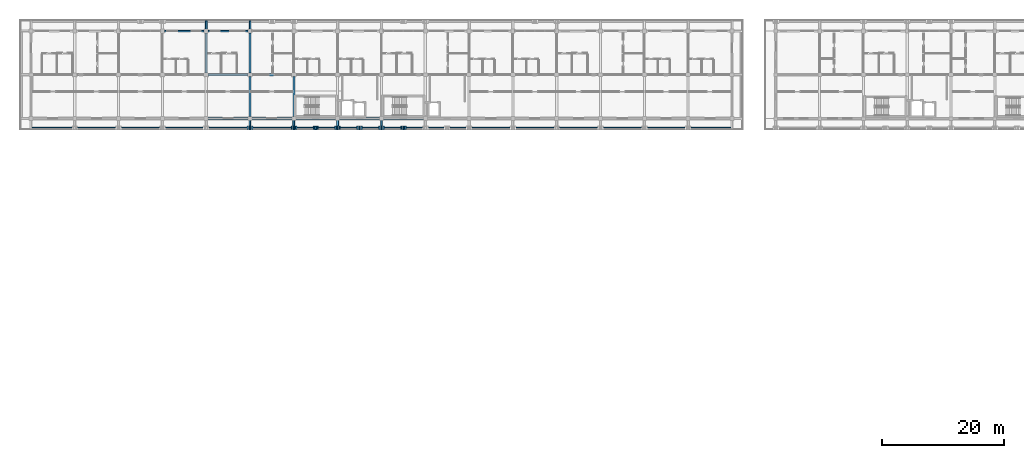
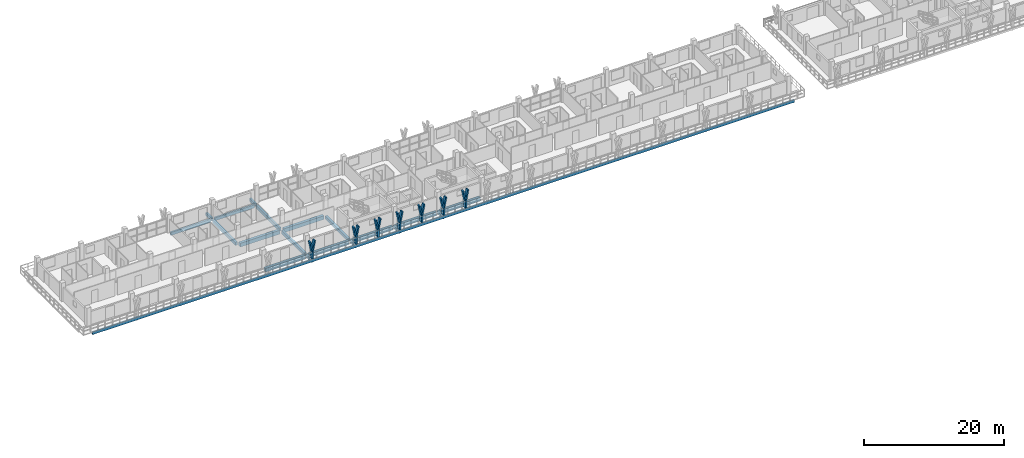
# One storey, part 13 of 78: 21 members, 20 beams.
"""IFC4 building model written with IfcOpenShell, lengths in metres."""

import ifcopenshell
import ifcopenshell.guid

model = None  # the IFC model being written
_history = None  # IfcOwnerHistory: only IFC2X3 demands one
_inside = {}  # id of a spatial element -> (the spatial element, [elements in it])
_under = {}  # id of a project, library or spatial element -> (it, [spatial elements below it])
_declared = {}  # id of a project -> (the project, [libraries it declares])
_typed = {}  # id of a type object -> (the type object, [elements of that type])
_made_of = {}  # id of a material, layer set ... -> (it, [elements and type objects made of it])


def new_model(schema):
    """Start an empty IFC model of exactly this schema.

    Asked for "IFC4X3", IfcOpenShell would pick the latest addendum, in which some entities
    have other attributes; the version numbers below select the first issue.
    IFC2X3 requires an IfcOwnerHistory on every rooted entity: one is made here for all.
    """
    global model, _history
    if schema == "IFC4X3":
        model = ifcopenshell.file(schema_version=(4, 3, 0, 0))
    else:
        model = ifcopenshell.file(schema=schema)
    _inside.clear()
    _under.clear()
    _declared.clear()
    _typed.clear()
    _made_of.clear()
    _history = None
    if model.schema == "IFC2X3":
        org = make("IfcOrganization", Name="unknown")
        user = make(
            "IfcPersonAndOrganization",
            ThePerson=make("IfcPerson", FamilyName="unknown"),
            TheOrganization=org,
        )
        app = make(
            "IfcApplication",
            ApplicationDeveloper=org,
            Version="unknown",
            ApplicationFullName="unknown",
            ApplicationIdentifier="unknown",
        )
        _history = make(
            "IfcOwnerHistory",
            OwningUser=user,
            OwningApplication=app,
            ChangeAction="ADDED",
            CreationDate=0,
        )
    return model


def make(cls, **values):
    """One entity of the class cls with the attributes given. An attribute that is None is left unset."""
    return model.create_entity(
        cls, **{name: value for name, value in values.items() if value is not None}
    )


def rooted(cls, **values):
    """An entity with a GlobalId (a new one), such as an element, a storey or a relation."""
    return make(cls, GlobalId=ifcopenshell.guid.new(), OwnerHistory=_history, **values)


def si_unit(unit_type, name, prefix=None):
    """IfcSIUnit, for example si_unit("LENGTHUNIT", "METRE", prefix="MILLI")."""
    return make("IfcSIUnit", UnitType=unit_type, Prefix=prefix, Name=name)


def assignment(units):
    """IfcUnitAssignment: the units of a project."""
    return None if units is None else make("IfcUnitAssignment", Units=units)


def point(xyz):
    """IfcCartesianPoint."""
    return None if xyz is None else make("IfcCartesianPoint", Coordinates=xyz)


def direction(xyz):
    """IfcDirection."""
    return None if xyz is None else make("IfcDirection", DirectionRatios=xyz)


def frame(location, z_axis=None, x_axis=None):
    """IfcAxis2Placement3D, a coordinate frame: its origin and axes. An axis left out is left unset."""
    return make(
        "IfcAxis2Placement3D",
        Location=point(location),
        Axis=direction(z_axis),
        RefDirection=direction(x_axis),
    )


def frame_2d(location, x_axis=None):
    """IfcAxis2Placement2D, a coordinate frame in the plane: its origin and x axis."""
    return make(
        "IfcAxis2Placement2D", Location=point(location), RefDirection=direction(x_axis)
    )


def origin():
    """The frame at (0, 0, 0) with its axes left unset."""
    return frame((0.0, 0.0, 0.0))


def origin_2d():
    """The frame at (0, 0) in the plane with its x axis left unset."""
    return frame_2d((0.0, 0.0))


def place(relative_to, where):
    """IfcLocalPlacement: puts the frame where relative to a parent placement (None: the world)."""
    return make(
        "IfcLocalPlacement", PlacementRelTo=relative_to, RelativePlacement=where
    )


def context(
    kind, dimensions, precision=None, world=None, true_north=None, identifier=None
):
    """IfcGeometricRepresentationContext, for example the 3D "Model" context."""
    return make(
        "IfcGeometricRepresentationContext",
        ContextIdentifier=identifier,
        ContextType=kind,
        CoordinateSpaceDimension=dimensions,
        Precision=precision,
        WorldCoordinateSystem=world,
        TrueNorth=true_north,
    )


def subcontext(parent, identifier, kind, view, scale=None):
    """IfcGeometricRepresentationSubContext, for example "Body" below "Model"."""
    return make(
        "IfcGeometricRepresentationSubContext",
        ContextIdentifier=identifier,
        ContextType=kind,
        ParentContext=parent,
        TargetScale=scale,
        TargetView=view,
    )


def project(units=None, contexts=None):
    """IfcProject with its units and contexts."""
    return rooted(
        "IfcProject",
        Name="project",
        RepresentationContexts=contexts,
        UnitsInContext=assignment(units),
    )


def spatial(cls, under=None, at=None, **own):
    """A site, building, storey or space (cls), placed at a placement, below another one or the project."""
    s = rooted(cls, ObjectPlacement=at, **own)
    if under is not None:
        _under.setdefault(under.id(), (under, []))[1].append(s)
    return s


def profile(cls, at=None, kind="AREA", **sizes):
    """A parametric profile (cls). Its sizes go by their IFC names, for example OverallWidth=200.0."""
    return make(cls, ProfileType=kind, Position=at, **sizes)


def rectangle(**sizes):
    """IfcRectangleProfileDef."""
    return profile("IfcRectangleProfileDef", **sizes)


def extrude(swept, where, along, depth):
    """IfcExtrudedAreaSolid: the profile swept, set in the frame where, extruded along a direction by depth."""
    return make(
        "IfcExtrudedAreaSolid",
        SweptArea=swept,
        Position=where,
        ExtrudedDirection=direction(along),
        Depth=depth,
    )


def shape(context_of_items, identifier, shape_type, items):
    """IfcShapeRepresentation: the items that make up one representation, for example the "Body"."""
    return make(
        "IfcShapeRepresentation",
        ContextOfItems=context_of_items,
        RepresentationIdentifier=identifier,
        RepresentationType=shape_type,
        Items=items,
    )


def material(Name=None, Category=None):
    """IfcMaterial."""
    return make("IfcMaterial", Name=Name, Category=Category)


def material_profile(
    of_material, cross_section, Name=None, Category=None, Priority=None
):
    """IfcMaterialProfile: a cross section and its material."""
    return make(
        "IfcMaterialProfile",
        Name=Name,
        Material=of_material,
        Profile=cross_section,
        Priority=Priority,
        Category=Category,
    )


def profile_set(profiles, Name=None, composite=None):
    """IfcMaterialProfileSet."""
    return make(
        "IfcMaterialProfileSet",
        Name=Name,
        MaterialProfiles=profiles,
        CompositeProfile=composite,
    )


def made_of(thing, what):
    """Note that an element or type object is made of a material, layer set ...; save() writes the relation."""
    if what is not None:
        _made_of.setdefault(what.id(), (what, []))[1].append(thing)
    return thing


def type_object(cls, material=None, **own):
    """A type object (cls), such as IfcWallType, which elements share."""
    return made_of(rooted(cls, **own), material)


def element(
    cls,
    number,
    at=None,
    inside=None,
    cuts=None,
    type_object=None,
    material=None,
    context=None,
    identifier="Body",
    shape_type=None,
    held_by="IfcProductDefinitionShape",
    body=None,
    shapes=None,
    **own,
):
    """One element of the class cls, such as IfcWall. Its Tag is "e" and its number.

    at: its placement. inside: the storey or other place that contains it. cuts: it is an
    opening in that element (IfcRelVoidsElement). A single representation is given by context,
    identifier, shape_type and body (its items); several are given by shapes. held_by: the class
    of the entity that holds the representations. save() writes the other relations.
    """
    e = rooted(cls, Tag="e%d" % number, ObjectPlacement=at, **own)
    if body is not None:
        shapes = [shape(context, identifier, shape_type, body)]
    if shapes is not None:
        e.Representation = make(held_by, Representations=shapes)
    if inside is not None:
        _inside.setdefault(inside.id(), (inside, []))[1].append(e)
    if cuts is not None:
        rooted(
            "IfcRelVoidsElement", RelatingBuildingElement=cuts, RelatedOpeningElement=e
        )
    if type_object is not None:
        _typed.setdefault(type_object.id(), (type_object, []))[1].append(e)
    return made_of(e, material)


def aggregate(whole, parts):
    """IfcRelAggregates: a whole, such as a stair, and the parts it consists of."""
    return rooted("IfcRelAggregates", RelatingObject=whole, RelatedObjects=parts)


def save(model, path):
    """Write the relations noted so far, then the file.

    IfcRelAggregates (storeys below a building ...), IfcRelContainedInSpatialStructure (elements
    in a storey), IfcRelDefinesByType, IfcRelAssociatesMaterial and IfcRelDeclares: one each for
    every whole, place, type object, material and project.
    """
    for whole, parts in _under.values():
        aggregate(whole, parts)
    for where, things in _inside.values():
        rooted(
            "IfcRelContainedInSpatialStructure",
            RelatedElements=things,
            RelatingStructure=where,
        )
    for kind, things in _typed.values():
        rooted("IfcRelDefinesByType", RelatedObjects=things, RelatingType=kind)
    for what, things in _made_of.values():
        rooted("IfcRelAssociatesMaterial", RelatedObjects=things, RelatingMaterial=what)
    for by, libraries in _declared.values():
        rooted("IfcRelDeclares", RelatingContext=by, RelatedDefinitions=libraries)
    model.write(path)


model = new_model("IFC4")

# Units and contexts
model_context = context("Model", 3, precision=1e-05, world=origin(), true_north=direction((0.0, 1.0)))
body_context = subcontext(model_context, "Body", "Model", "MODEL_VIEW")
ifc_project = project(units=[si_unit("LENGTHUNIT", "METRE"), si_unit("AREAUNIT", "SQUARE_METRE"), si_unit("VOLUMEUNIT", "CUBIC_METRE"), si_unit("PLANEANGLEUNIT", "RADIAN"), si_unit("MASSUNIT", "GRAM", prefix="KILO")], contexts=[model_context])

# Site, building, storey
site_placement = place(None, origin())
site = spatial("IfcSite", under=ifc_project, at=site_placement, CompositionType="ELEMENT")
building_placement = place(site_placement, origin())
building = spatial("IfcBuilding", under=site, at=building_placement, Name="Suanplinth Sawtooth Commons", CompositionType="ELEMENT")
storey_placement = place(building_placement, frame((0.0, 0.0, 15.39990234375)))
storey = spatial("IfcBuildingStorey", under=building, at=storey_placement, Name="L04", CompositionType="ELEMENT", Elevation=15.39990234375)

# Beams
ifc_material_1 = material(Name="Precast concrete C40/50", Category="concrete")
ifc_material_profile_1 = material_profile(ifc_material_1, rectangle(XDim=0.449951171875, YDim=0.64990234375, at=origin_2d()), Name="PC-GDR 450x650")
ifc_profile_set_1 = profile_set([ifc_material_profile_1], Name="Precast concrete C40/50")
beam_type_1 = type_object("IfcBeamType", Name="B-04", PredefinedType="USERDEFINED", material=ifc_profile_set_1)
for number, where, z_axis, x_axis, name in (
    (1, (29.125, 108.0, -0.544921875), (1.0, 0.0, 0.0), (0.0, 1.0, 0.0), "BMX-L04-A-4-15"),
    (2, (29.125, 115.199951171875, -0.544921875), (1.0, 0.0, 0.0), (0.0, 1.0, 0.0), "BMX-L04-A-4-16"),
    (3, (36.324951171875, 108.0, -0.544921875), (1.0, 0.0, 0.0), (0.0, 1.0, 0.0), "BMX-L04-A-5-15"),
    (4, (36.324951171875, 115.199951171875, -0.544921875), (1.0, 0.0, 0.0), (0.0, 1.0, 0.0), "BMX-L04-A-5-16"),
    (5, (43.52490234375, 108.0, -0.544921875), (1.0, 0.0, 0.0), (0.0, 1.0, 0.0), "BMX-L04-A-6-15"),
):
    element("IfcBeam", number, at=place(storey_placement, frame(where, z_axis=z_axis, x_axis=x_axis)), inside=storey, type_object=beam_type_1, Name=name, ObjectType="GIRDER", PredefinedType="USERDEFINED", context=body_context, shape_type="SweptSolid", body=[
        extrude(rectangle(XDim=0.449951171875, YDim=0.64990234375, at=origin_2d()), origin(), (0.0, 0.0, 1.0), 6.550048828125),
    ])
beam_1_placement = place(storey_placement, frame((50.72509765625, 108.0, -0.544921875), z_axis=(1.0, 0.0, 0.0), x_axis=(0.0, 1.0, 0.0)))
element("IfcBeam", 6, at=beam_1_placement, inside=storey, type_object=beam_type_1, Name="BMX-L04-A-7-15", ObjectType="GIRDER", PredefinedType="USERDEFINED", context=body_context, shape_type="SweptSolid", body=[
    extrude(rectangle(XDim=0.449951171875, YDim=0.64990234375, at=origin_2d()), origin(), (0.0, 0.0, 1.0), 6.5498046875),
])
beam_2_placement = place(storey_placement, frame((57.925048828125, 108.0, -0.544921875), z_axis=(1.0, 0.0, 0.0), x_axis=(0.0, 1.0, 0.0)))
element("IfcBeam", 7, at=beam_2_placement, inside=storey, type_object=beam_type_1, Name="BMX-L04-A-8-15", ObjectType="GIRDER", PredefinedType="USERDEFINED", context=body_context, shape_type="SweptSolid", body=[
    extrude(rectangle(XDim=0.449951171875, YDim=0.64990234375, at=origin_2d()), origin(), (0.0, 0.0, 1.0), 6.550048828125),
])
ifc_material_profile_2 = material_profile(ifc_material_1, rectangle(XDim=0.35009765625, YDim=0.550048828125, at=origin_2d()), Name="PC-BM 350x550")
ifc_profile_set_2 = profile_set([ifc_material_profile_2], Name="Precast concrete C40/50")
beam_type_2 = type_object("IfcBeamType", Name="B-06", PredefinedType="BEAM", material=ifc_profile_set_2)
for number, where, z_axis, x_axis, name in (
    (8, (28.800048828125, 115.52490234375, -0.494873046875), (0.0, 1.0, 0.0), (-1.0, 0.0, 0.0), "BMY-L04-A-4-16"),
    (9, (36.0, 108.324951171875, -0.494873046875), (0.0, 1.0, 0.0), (-1.0, 0.0, 0.0), "BMY-L04-A-5-15"),
    (10, (36.0, 115.52490234375, -0.494873046875), (0.0, 1.0, 0.0), (-1.0, 0.0, 0.0), "BMY-L04-A-5-16"),
    (11, (43.199951171875, 108.324951171875, -0.494873046875), (0.0, 1.0, 0.0), (-1.0, 0.0, 0.0), "BMY-L04-A-6-15"),
):
    element("IfcBeam", number, at=place(storey_placement, frame(where, z_axis=z_axis, x_axis=x_axis)), inside=storey, type_object=beam_type_2, Name=name, PredefinedType="BEAM", context=body_context, shape_type="SweptSolid", body=[
        extrude(rectangle(XDim=0.35009765625, YDim=0.550048828125, at=origin_2d()), origin(), (0.0, 0.0, 1.0), 6.550048828125),
    ])
ifc_material_profile_3 = material_profile(ifc_material_1, rectangle(XDim=0.300048828125, YDim=0.5, at=origin_2d()), Name="PC-BM 300x500")
ifc_profile_set_3 = profile_set([ifc_material_profile_3], Name="Precast concrete C40/50")
beam_type_3 = type_object("IfcBeamType", Name="B-07", PredefinedType="BEAM", material=ifc_profile_set_3)
for number, where, z_axis, x_axis, name in (
    (12, (28.800048828125, 122.39990234375, -0.429931640625), (0.0, 1.0, 0.0), (-1.0, 0.0, 0.0), "Balcony Outrigger L04-A-N-4"),
    (13, (36.0, 122.39990234375, -0.429931640625), (0.0, 1.0, 0.0), (-1.0, 0.0, 0.0), "Balcony Outrigger L04-A-N-5"),
):
    element("IfcBeam", number, at=place(storey_placement, frame(where, z_axis=z_axis, x_axis=x_axis)), inside=storey, type_object=beam_type_3, Name=name, PredefinedType="BEAM", context=body_context, shape_type="SweptSolid", body=[
        extrude(rectangle(XDim=0.300048828125, YDim=0.5, at=origin_2d()), origin(), (0.0, 0.0, 1.0), 1.64013671875),
    ])
for number, where, z_axis, x_axis, name in (
    (14, (36.0, 108.0, -0.429931640625), (0.0, -1.0, 0.0), (1.0, 0.0, 0.0), "Balcony Outrigger L04-A-S-5"),
    (15, (43.199951171875, 108.0, -0.429931640625), (0.0, -1.0, 0.0), (1.0, 0.0, 0.0), "Balcony Outrigger L04-A-S-6"),
    (16, (50.39990234375, 108.0, -0.429931640625), (0.0, -1.0, 0.0), (1.0, 0.0, 0.0), "Balcony Outrigger L04-A-S-7"),
    (17, (57.60009765625, 108.0, -0.429931640625), (0.0, -1.0, 0.0), (1.0, 0.0, 0.0), "Balcony Outrigger L04-A-S-8"),
):
    element("IfcBeam", number, at=place(storey_placement, frame(where, z_axis=z_axis, x_axis=x_axis)), inside=storey, type_object=beam_type_3, Name=name, PredefinedType="BEAM", context=body_context, shape_type="SweptSolid", body=[
        extrude(rectangle(XDim=0.300048828125, YDim=0.5, at=origin_2d()), origin(), (0.0, 0.0, 1.0), 1.639892578125),
    ])
ifc_material_profile_4 = material_profile(ifc_material_1, rectangle(XDim=0.280029296875, YDim=0.52001953125, at=origin_2d()), Name="PC-SP 280x520")
ifc_profile_set_4 = profile_set([ifc_material_profile_4], Name="Precast concrete C40/50")
beam_type_4 = type_object("IfcBeamType", Name="B-08", PredefinedType="SPANDREL", material=ifc_profile_set_4)
for number, where, z_axis, x_axis, name in (
    (18, (21.925048828125, 122.39990234375, -0.47998046875), (1.0, 0.0, 0.0), (0.0, 1.0, 0.0), "BMX-L04-A-3-17"),
    (19, (29.125, 122.39990234375, -0.47998046875), (1.0, 0.0, 0.0), (0.0, 1.0, 0.0), "BMX-L04-A-4-17"),
):
    element("IfcBeam", number, at=place(storey_placement, frame(where, z_axis=z_axis, x_axis=x_axis)), inside=storey, type_object=beam_type_4, Name=name, PredefinedType="SPANDREL", context=body_context, shape_type="SweptSolid", body=[
        extrude(rectangle(XDim=0.280029296875, YDim=0.52001953125, at=origin_2d()), origin(), (0.0, 0.0, 1.0), 6.550048828125),
    ])
ifc_material_profile_5 = material_profile(ifc_material_1, rectangle(XDim=0.25, YDim=0.449951171875, at=origin_2d()), Name="PC-SP 250x450")
ifc_profile_set_5 = profile_set([ifc_material_profile_5], Name="Precast concrete C40/50")
beam_type_5 = type_object("IfcBeamType", Name="B-09", PredefinedType="SPANDREL", material=ifc_profile_set_5)
beam_3_placement = place(storey_placement, frame((-0.14990234375, 106.47998046875, -0.40478515625), z_axis=(1.0, 0.0, 0.0), x_axis=(0.0, 1.0, 0.0)))
element("IfcBeam", 20, at=beam_3_placement, inside=storey, type_object=beam_type_5, Name="Balcony Edge Fascia L04-A-S", PredefinedType="SPANDREL", context=body_context, shape_type="SweptSolid", body=[
    extrude(rectangle(XDim=0.25, YDim=0.449951171875, at=origin_2d()), origin(), (0.0, 0.0, 1.0), 115.5),
])

# Members
ifc_material_2 = material(Name="Pigmented precast concrete C40/50", Category="concrete")
ifc_material_profile_6 = material_profile(ifc_material_2, rectangle(XDim=0.260009765625, YDim=0.550048828125, at=origin_2d()), Name="PC-FIN 260x550")
ifc_profile_set_6 = profile_set([ifc_material_profile_6], Name="Pigmented precast concrete C40/50")
member_type_1 = type_object("IfcMemberType", Name="M-09", PredefinedType="USERDEFINED", material=ifc_profile_set_6)
for number, where, z_axis, x_axis, name in (
    (21, (36.0, 106.47998046875, 0.0), (0.0, 0.0, 1.0), (1.0, 0.0, 0.0), "Y-Blade Stem L04-A-S-13"),
    (22, (43.199951171875, 106.47998046875, 0.0), (0.0, 0.0, 1.0), (1.0, 0.0, 0.0), "Y-Blade Stem L04-A-S-14"),
    (23, (46.800048828125, 106.47998046875, 0.0), (0.0, 0.0, 1.0), (1.0, 0.0, 0.0), "Y-Blade Stem L04-A-S-15"),
    (24, (50.39990234375, 106.47998046875, 0.0), (0.0, 0.0, 1.0), (1.0, 0.0, 0.0), "Y-Blade Stem L04-A-S-16"),
    (25, (54.0, 106.47998046875, 0.0), (0.0, 0.0, 1.0), (1.0, 0.0, 0.0), "Y-Blade Stem L04-A-S-17"),
    (26, (57.60009765625, 106.47998046875, 0.0), (0.0, 0.0, 1.0), (1.0, 0.0, 0.0), "Y-Blade Stem L04-A-S-18"),
    (27, (61.199951171875, 106.47998046875, 0.0), (0.0, 0.0, 1.0), (1.0, 0.0, 0.0), "Y-Blade Stem L04-A-S-19"),
):
    element("IfcMember", number, at=place(storey_placement, frame(where, z_axis=z_axis, x_axis=x_axis)), inside=storey, type_object=member_type_1, Name=name, ObjectType="SHADING FIN", PredefinedType="USERDEFINED", context=body_context, shape_type="SweptSolid", body=[
        extrude(rectangle(XDim=0.260009765625, YDim=0.550048828125, at=origin_2d()), origin(), (0.0, 0.0, 1.0), 1.170166015625),
    ])
ifc_material_profile_7 = material_profile(ifc_material_2, rectangle(XDim=0.219970703125, YDim=0.550048828125, at=origin_2d()), Name="PC-FIN 220x550")
ifc_profile_set_7 = profile_set([ifc_material_profile_7], Name="Pigmented precast concrete C40/50")
member_type_2 = type_object("IfcMemberType", Name="M-10", PredefinedType="USERDEFINED", material=ifc_profile_set_7)
for number, where, z_axis, x_axis, name in (
    (28, (36.0, 106.47998046875, 1.130126953125), (-0.196431120402, 0.0, 0.980517626021), (0.980517626021, 0.0, 0.196431120402), "Y-Blade Arm L L04-A-S-13"),
    (29, (36.0, 106.47998046875, 1.130126953125), (0.196431120402, 0.0, 0.980517626021), (-0.980517626021, 0.0, 0.196431120402), "Y-Blade Arm R L04-A-S-13"),
):
    element("IfcMember", number, at=place(storey_placement, frame(where, z_axis=z_axis, x_axis=x_axis)), inside=storey, type_object=member_type_2, Name=name, ObjectType="SHADING FIN", PredefinedType="USERDEFINED", context=body_context, shape_type="SweptSolid", body=[
        extrude(rectangle(XDim=0.219970703125, YDim=0.550048828125, at=origin_2d()), origin(), (0.0, 0.0, 1.0), 1.937744140625),
    ])
member_1_placement = place(storey_placement, frame((43.199951171875, 106.47998046875, 1.130126953125), z_axis=(-0.196309979414, 0.0, 0.980541886909), x_axis=(0.980541886909, 0.0, 0.196309979414)))
element("IfcMember", 30, at=member_1_placement, inside=storey, type_object=member_type_2, Name="Y-Blade Arm L L04-A-S-14", ObjectType="SHADING FIN", PredefinedType="USERDEFINED", context=body_context, shape_type="SweptSolid", body=[
    extrude(rectangle(XDim=0.219970703125, YDim=0.550048828125, at=origin_2d()), origin(), (0.0, 0.0, 1.0), 1.9375),
])
for number, where, z_axis, x_axis, name in (
    (31, (43.199951171875, 106.47998046875, 1.130126953125), (0.196431120402, 0.0, 0.980517626021), (-0.980517626021, 0.0, 0.196431120402), "Y-Blade Arm R L04-A-S-14"),
    (32, (46.800048828125, 106.47998046875, 1.130126953125), (-0.196431120402, 0.0, 0.980517626021), (0.980517626021, 0.0, 0.196431120402), "Y-Blade Arm L L04-A-S-15"),
):
    element("IfcMember", number, at=place(storey_placement, frame(where, z_axis=z_axis, x_axis=x_axis)), inside=storey, type_object=member_type_2, Name=name, ObjectType="SHADING FIN", PredefinedType="USERDEFINED", context=body_context, shape_type="SweptSolid", body=[
        extrude(rectangle(XDim=0.219970703125, YDim=0.550048828125, at=origin_2d()), origin(), (0.0, 0.0, 1.0), 1.937744140625),
    ])
for number, where, z_axis, x_axis, name in (
    (33, (46.800048828125, 106.47998046875, 1.130126953125), (0.196309979414, 0.0, 0.980541886909), (-0.980541886909, 0.0, 0.196309979414), "Y-Blade Arm R L04-A-S-15"),
    (34, (50.39990234375, 106.47998046875, 1.130126953125), (-0.196309979414, 0.0, 0.980541886909), (0.980541886909, 0.0, 0.196309979414), "Y-Blade Arm L L04-A-S-16"),
):
    element("IfcMember", number, at=place(storey_placement, frame(where, z_axis=z_axis, x_axis=x_axis)), inside=storey, type_object=member_type_2, Name=name, ObjectType="SHADING FIN", PredefinedType="USERDEFINED", context=body_context, shape_type="SweptSolid", body=[
        extrude(rectangle(XDim=0.219970703125, YDim=0.550048828125, at=origin_2d()), origin(), (0.0, 0.0, 1.0), 1.9375),
    ])
for number, where, z_axis, x_axis, name in (
    (35, (50.39990234375, 106.47998046875, 1.130126953125), (0.196431120402, 0.0, 0.980517626021), (-0.980517626021, 0.0, 0.196431120402), "Y-Blade Arm R L04-A-S-16"),
    (36, (54.0, 106.47998046875, 1.130126953125), (-0.196431120402, 0.0, 0.980517626021), (0.980517626021, 0.0, 0.196431120402), "Y-Blade Arm L L04-A-S-17"),
    (37, (54.0, 106.47998046875, 1.130126953125), (0.196431120402, 0.0, 0.980517626021), (-0.980517626021, 0.0, 0.196431120402), "Y-Blade Arm R L04-A-S-17"),
    (38, (57.60009765625, 106.47998046875, 1.130126953125), (-0.196431120402, 0.0, 0.980517626021), (0.980517626021, 0.0, 0.196431120402), "Y-Blade Arm L L04-A-S-18"),
):
    element("IfcMember", number, at=place(storey_placement, frame(where, z_axis=z_axis, x_axis=x_axis)), inside=storey, type_object=member_type_2, Name=name, ObjectType="SHADING FIN", PredefinedType="USERDEFINED", context=body_context, shape_type="SweptSolid", body=[
        extrude(rectangle(XDim=0.219970703125, YDim=0.550048828125, at=origin_2d()), origin(), (0.0, 0.0, 1.0), 1.937744140625),
    ])
for number, where, z_axis, x_axis, name in (
    (39, (57.60009765625, 106.47998046875, 1.130126953125), (0.196309979414, 0.0, 0.980541886909), (-0.980541886909, 0.0, 0.196309979414), "Y-Blade Arm R L04-A-S-18"),
    (40, (61.199951171875, 106.47998046875, 1.130126953125), (-0.196309979414, 0.0, 0.980541886909), (0.980541886909, 0.0, 0.196309979414), "Y-Blade Arm L L04-A-S-19"),
):
    element("IfcMember", number, at=place(storey_placement, frame(where, z_axis=z_axis, x_axis=x_axis)), inside=storey, type_object=member_type_2, Name=name, ObjectType="SHADING FIN", PredefinedType="USERDEFINED", context=body_context, shape_type="SweptSolid", body=[
        extrude(rectangle(XDim=0.219970703125, YDim=0.550048828125, at=origin_2d()), origin(), (0.0, 0.0, 1.0), 1.9375),
    ])
member_2_placement = place(storey_placement, frame((61.199951171875, 106.47998046875, 1.130126953125), z_axis=(0.196431120402, 0.0, 0.980517626021), x_axis=(-0.980517626021, 0.0, 0.196431120402)))
element("IfcMember", 41, at=member_2_placement, inside=storey, type_object=member_type_2, Name="Y-Blade Arm R L04-A-S-19", ObjectType="SHADING FIN", PredefinedType="USERDEFINED", context=body_context, shape_type="SweptSolid", body=[
    extrude(rectangle(XDim=0.219970703125, YDim=0.550048828125, at=origin_2d()), origin(), (0.0, 0.0, 1.0), 1.937744140625),
])

save(model, "model.ifc")
